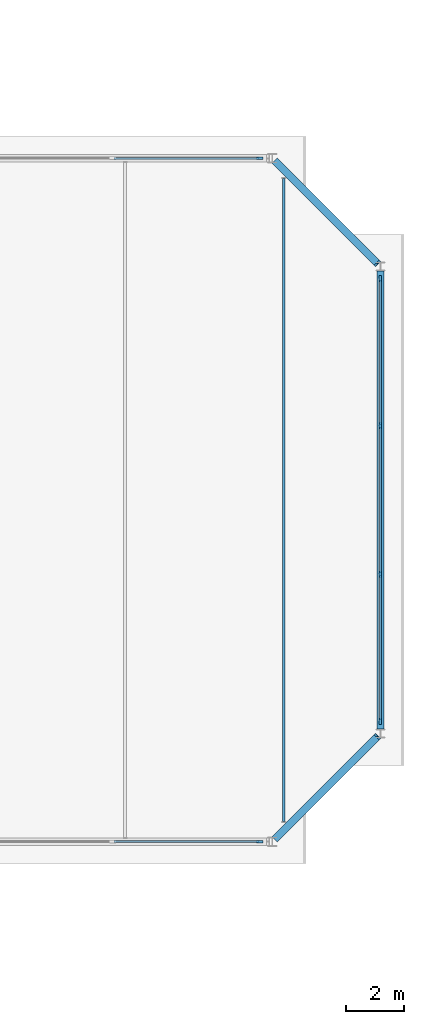
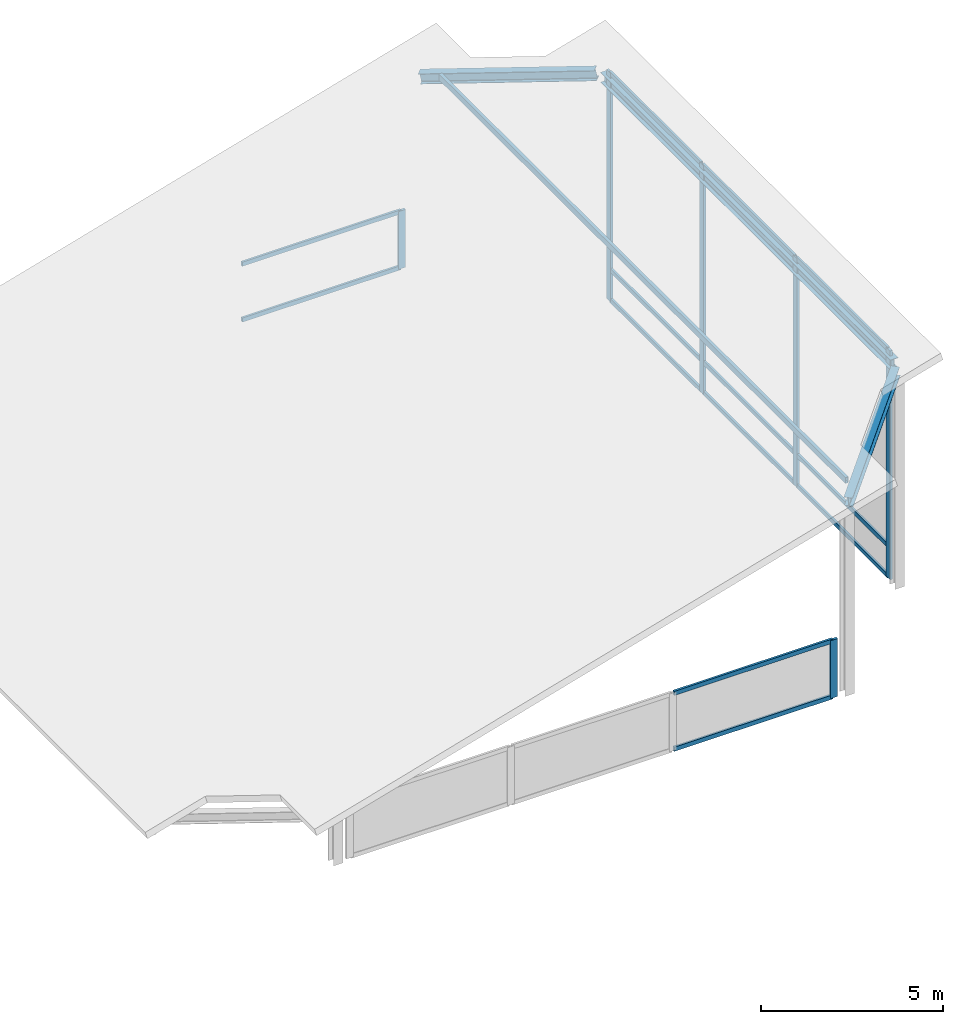
# One storey, part 15 of 28: 20 members, 3 beams, 3 elements without a shape of their own.
"""IFC4 building model written with IfcOpenShell, lengths in metres."""

from ifc_helpers import new_model, si_unit, direction, frame, origin, origin_2d, place, context, subcontext, project, spatial, rectangle, hollow_rectangle, i_section, extrude, source, transform, mapped, material, layer, layer_set, material_profile, profile_set, type_object, element, aggregate, save


model = new_model("IFC4")

# Units and contexts
model_context = context("Model", 3, precision=1e-05, world=origin(), true_north=direction((0.0, 1.0)))
body_context = subcontext(model_context, "Body", "Model", "MODEL_VIEW")
ifc_project = project(units=[si_unit("LENGTHUNIT", "METRE"), si_unit("AREAUNIT", "SQUARE_METRE"), si_unit("VOLUMEUNIT", "CUBIC_METRE"), si_unit("PLANEANGLEUNIT", "RADIAN"), si_unit("MASSUNIT", "GRAM", prefix="KILO"), si_unit("THERMODYNAMICTEMPERATUREUNIT", "KELVIN"), si_unit("POWERUNIT", "WATT")], contexts=[model_context])

# Site, building, storey
site_placement = place(None, origin())
site = spatial("IfcSite", under=ifc_project, at=site_placement, CompositionType="ELEMENT")
building_placement = place(site_placement, origin())
building = spatial("IfcBuilding", under=site, at=building_placement, Name="Qiaomeng Ring Towers", CompositionType="ELEMENT")
storey_placement = place(building_placement, frame((0.0, 0.0, 113.25)))
storey = spatial("IfcBuildingStorey", under=building, at=storey_placement, Name="L32", CompositionType="ELEMENT", Elevation=113.25)

# Beams
ifc_material_1 = material(Name="Steel Q355B", Category="steel")
ifc_material_profile_1 = material_profile(ifc_material_1, i_section(OverallWidth=0.25, OverallDepth=0.340087890625, WebThickness=0.009033203125, FlangeThickness=0.013916015625, FilletRadius=0.02001953125, at=origin_2d()), Name="HM 340x250x9x14")
ifc_profile_set_1 = profile_set([ifc_material_profile_1], Name="Steel Q355B")
beam_type = type_object("IfcBeamType", Name="STR-BM-HM340", PredefinedType="SPANDREL", material=ifc_profile_set_1)
shared_shape_1 = source(origin(), body_context, "Body", "SweptSolid", [
    extrude(i_section(OverallWidth=0.25, OverallDepth=0.340087890625, WebThickness=0.009033203125, FlangeThickness=0.013916015625, FilletRadius=0.02001953125, at=origin_2d()), origin(), (0.0, 0.0, 1.0), 5.10498046875),
])
for number, where, z_axis, x_axis, name in (
    (1, (68.7060546875, 11.256103515625, 6.276123046875), (0.693006531025, 0.693006531025, 0.198705550784), (-0.707106781187, 0.707106781187, 0.0), "Companion Crown Cap Beam 2"),
    (2, (72.243896484375, 31.2060546875, 7.29052734375), (-0.693006531025, 0.693006531025, -0.198705550784), (-0.707106781187, -0.707106781187, 0.0), "Companion Crown Cap Beam 4"),
):
    element("IfcBeam", number, at=place(storey_placement, frame(where, z_axis=z_axis, x_axis=x_axis)), inside=storey, type_object=beam_type, Name=name, PredefinedType="SPANDREL", context=body_context, shape_type="MappedRepresentation", body=[
        mapped(shared_shape_1, transform((0.0, 0.0, 0.0), x_axis=(1.0, 0.0, 0.0), y_axis=(0.0, 1.0, 0.0), z_axis=(0.0, 0.0, 1.0), scale=1.0)),
    ])
shared_shape_2 = source(origin(), body_context, "Body", "SweptSolid", [
    extrude(i_section(OverallWidth=0.25, OverallDepth=0.340087890625, WebThickness=0.009033203125, FlangeThickness=0.013916015625, FilletRadius=0.02001953125, at=origin_2d()), origin(), (0.0, 0.0, 1.0), 15.89990234375),
])
beam_placement = place(storey_placement, frame((72.35009765625, 15.050048828125, 7.32080078125), z_axis=(0.0, 1.0, 0.0), x_axis=(-1.0, 0.0, 0.0)))
element("IfcBeam", 3, at=beam_placement, inside=storey, type_object=beam_type, Name="Companion Crown Cap Beam 3", PredefinedType="SPANDREL", context=body_context, shape_type="MappedRepresentation", body=[
    mapped(shared_shape_2, transform((0.0, 0.0, 0.0), x_axis=(1.0, 0.0, 0.0), y_axis=(0.0, 1.0, 0.0), z_axis=(0.0, 0.0, 1.0), scale=1.0)),
])

# Member
ifc_material_profile_2 = material_profile(ifc_material_1, hollow_rectangle(XDim=0.10009765625, YDim=0.199951171875, WallThickness=0.008056640625, at=origin_2d()), Name="RHS 200x100x8")
ifc_profile_set_2 = profile_set([ifc_material_profile_2], Name="Steel Q355B")
member_type_1 = type_object("IfcMemberType", Name="STR-MB-PURLIN-200", PredefinedType="PURLIN", material=ifc_profile_set_2)
shared_shape_3 = source(origin(), body_context, "Body", "SweptSolid", [
    extrude(hollow_rectangle(XDim=0.10009765625, YDim=0.199951171875, WallThickness=0.008056640625, at=origin_2d()), origin(), (0.0, 0.0, 1.0), 22.2998046875),
])
member_1_placement = place(storey_placement, frame((69.0, 11.85009765625, 6.540283203125), z_axis=(0.0, 1.0, 0.0), x_axis=(-1.0, 0.0, 0.0)))
element("IfcMember", 4, at=member_1_placement, inside=storey, type_object=member_type_1, Name="Companion Crown Roof Purlin 4", PredefinedType="PURLIN", context=body_context, shape_type="MappedRepresentation", body=[
    mapped(shared_shape_3, transform((0.0, 0.0, 0.0), x_axis=(1.0, 0.0, 0.0), y_axis=(0.0, 1.0, 0.0), z_axis=(0.0, 0.0, 1.0), scale=1.0)),
])

# Curtain wall, member
ifc_material_2 = material(Name="Fluorocarbon dark-grey aluminium", Category="aluminium")
ifc_layer = layer(ifc_material_2, 0.169921875, Name="Fluorocarbon dark-grey aluminium")
ifc_layer_set = layer_set([ifc_layer], Name="Fluorocarbon dark-grey aluminium")
curtain_wall_type = type_object("IfcCurtainWallType", Name="ARC-CW-6", PredefinedType="NOTDEFINED", material=ifc_layer_set)
curtain_wall_1_placement = place(storey_placement, origin())
curtain_wall_1 = element("IfcCurtainWall", 5, at=curtain_wall_1_placement, inside=storey, type_object=curtain_wall_type, Name="L32 Curtain Wall CW6", PredefinedType="NOTDEFINED")
ifc_material_profile_3 = material_profile(ifc_material_2, rectangle(XDim=0.080078125, YDim=0.219970703125, at=origin_2d()), Name="ALU MULL 80x220")
ifc_profile_set_3 = profile_set([ifc_material_profile_3], Name="Fluorocarbon dark-grey aluminium")
member_type_2 = type_object("IfcMemberType", Name="ARC-CWM-180", PredefinedType="MULLION", material=ifc_profile_set_3)
shared_shape_4 = source(origin(), body_context, "Body", "SweptSolid", [
    extrude(rectangle(XDim=0.080078125, YDim=0.219970703125, at=origin_2d()), origin(), (0.0, 0.0, 1.0), 1.9404296875),
])
member_2_placement = place(storey_placement, frame((68.169921875, 11.14990234375, 0.0), z_axis=(0.0, 0.0, 1.0), x_axis=(0.0, 1.0, 0.0)))
member_2 = element("IfcMember", 6, at=member_2_placement, type_object=member_type_2, Name="CW6 mullion 4", PredefinedType="MULLION", context=body_context, shape_type="MappedRepresentation", body=[
    mapped(shared_shape_4, transform((0.0, 0.0, 0.0), x_axis=(1.0, 0.0, 0.0), y_axis=(0.0, 1.0, 0.0), z_axis=(0.0, 0.0, 1.0), scale=1.0)),
])

curtain_wall_2_placement = place(storey_placement, origin())
curtain_wall_2 = element("IfcCurtainWall", 7, at=curtain_wall_2_placement, inside=storey, type_object=curtain_wall_type, Name="L32 Curtain Wall CW6", PredefinedType="NOTDEFINED")
member_3_placement = place(storey_placement, frame((68.169921875, 34.85009765625, 0.0), z_axis=(0.0, 0.0, 1.0), x_axis=(0.0, -1.0, 0.0)))
member_3 = element("IfcMember", 8, at=member_3_placement, type_object=member_type_2, Name="CW6 mullion 1", PredefinedType="MULLION", context=body_context, shape_type="MappedRepresentation", body=[
    mapped(shared_shape_4, transform((0.0, 0.0, 0.0), x_axis=(1.0, 0.0, 0.0), y_axis=(0.0, 1.0, 0.0), z_axis=(0.0, 0.0, 1.0), scale=1.0)),
])

# Member
ifc_material_profile_4 = material_profile(ifc_material_2, rectangle(XDim=0.070068359375, YDim=0.139892578125, at=origin_2d()), Name="ALU TRAN 70x140")
ifc_profile_set_4 = profile_set([ifc_material_profile_4], Name="Fluorocarbon dark-grey aluminium")
member_type_3 = type_object("IfcMemberType", Name="ARC-CWT-140", PredefinedType="USERDEFINED", material=ifc_profile_set_4)
shared_shape_5 = source(origin(), body_context, "Body", "SweptSolid", [
    extrude(rectangle(XDim=0.070068359375, YDim=0.139892578125, at=origin_2d()), origin(), (0.0, 0.0, 1.0), 5.019775390625),
])
member_4_placement = place(storey_placement, frame((63.110107421875, 11.14990234375, 0.034912109375), z_axis=(1.0, 0.0, 0.0), x_axis=(0.0, 1.0, 0.0)))
member_4 = element("IfcMember", 9, at=member_4_placement, type_object=member_type_3, Name="CW6 transom 3.1", ObjectType="TRANSOM", PredefinedType="USERDEFINED", context=body_context, shape_type="MappedRepresentation", body=[
    mapped(shared_shape_5, transform((0.0, 0.0, 0.0), x_axis=(1.0, 0.0, 0.0), y_axis=(0.0, 1.0, 0.0), z_axis=(0.0, 0.0, 1.0), scale=1.0)),
])

member_5_placement = place(storey_placement, frame((63.110107421875, 11.14990234375, 1.905517578125), z_axis=(1.0, 0.0, 0.0), x_axis=(0.0, 1.0, 0.0)))
member_5 = element("IfcMember", 10, at=member_5_placement, type_object=member_type_3, Name="CW6 transom 3.2", ObjectType="TRANSOM", PredefinedType="USERDEFINED", context=body_context, shape_type="MappedRepresentation", body=[
    mapped(shared_shape_5, transform((0.0, 0.0, 0.0), x_axis=(1.0, 0.0, 0.0), y_axis=(0.0, 1.0, 0.0), z_axis=(0.0, 0.0, 1.0), scale=1.0)),
])

aggregate(curtain_wall_1, [member_2, member_4, member_5])

# Curtain wall, members
curtain_wall_3_placement = place(storey_placement, origin())
curtain_wall_3 = element("IfcCurtainWall", 11, at=curtain_wall_3_placement, inside=storey, type_object=curtain_wall_type, Name="L32 Curtain Wall CW6", PredefinedType="NOTDEFINED")
member_6_placement = place(storey_placement, frame((72.35009765625, 15.3701171875, 0.034912109375), z_axis=(0.0, 1.0, 0.0), x_axis=(-1.0, 0.0, 0.0)))
member_6 = element("IfcMember", 12, at=member_6_placement, type_object=member_type_3, Name="CW6 transom 1.1", ObjectType="TRANSOM", PredefinedType="USERDEFINED", context=body_context, shape_type="MappedRepresentation", body=[
    mapped(shared_shape_5, transform((0.0, 0.0, 0.0), x_axis=(1.0, 0.0, 0.0), y_axis=(0.0, 1.0, 0.0), z_axis=(0.0, 0.0, 1.0), scale=1.0)),
])
member_7_placement = place(storey_placement, frame((72.35009765625, 15.3701171875, 1.050048828125), z_axis=(0.0, 1.0, 0.0), x_axis=(-1.0, 0.0, 0.0)))
member_7 = element("IfcMember", 13, at=member_7_placement, type_object=member_type_3, Name="CW6 transom 1.2", ObjectType="TRANSOM", PredefinedType="USERDEFINED", context=body_context, shape_type="MappedRepresentation", body=[
    mapped(shared_shape_5, transform((0.0, 0.0, 0.0), x_axis=(1.0, 0.0, 0.0), y_axis=(0.0, 1.0, 0.0), z_axis=(0.0, 0.0, 1.0), scale=1.0)),
])
member_8_placement = place(storey_placement, frame((72.35009765625, 15.3701171875, 7.6259765625), z_axis=(0.0, 1.0, 0.0), x_axis=(-1.0, 0.0, 0.0)))
member_8 = element("IfcMember", 14, at=member_8_placement, type_object=member_type_3, Name="CW6 transom 1.3", ObjectType="TRANSOM", PredefinedType="USERDEFINED", context=body_context, shape_type="MappedRepresentation", body=[
    mapped(shared_shape_5, transform((0.0, 0.0, 0.0), x_axis=(1.0, 0.0, 0.0), y_axis=(0.0, 1.0, 0.0), z_axis=(0.0, 0.0, 1.0), scale=1.0)),
])
member_9_placement = place(storey_placement, frame((72.35009765625, 25.610107421875, 0.034912109375), z_axis=(0.0, 1.0, 0.0), x_axis=(-1.0, 0.0, 0.0)))
member_9 = element("IfcMember", 15, at=member_9_placement, type_object=member_type_3, Name="CW6 transom 3.1", ObjectType="TRANSOM", PredefinedType="USERDEFINED", context=body_context, shape_type="MappedRepresentation", body=[
    mapped(shared_shape_5, transform((0.0, 0.0, 0.0), x_axis=(1.0, 0.0, 0.0), y_axis=(0.0, 1.0, 0.0), z_axis=(0.0, 0.0, 1.0), scale=1.0)),
])
member_10_placement = place(storey_placement, frame((72.35009765625, 25.610107421875, 1.050048828125), z_axis=(0.0, 1.0, 0.0), x_axis=(-1.0, 0.0, 0.0)))
member_10 = element("IfcMember", 16, at=member_10_placement, type_object=member_type_3, Name="CW6 transom 3.2", ObjectType="TRANSOM", PredefinedType="USERDEFINED", context=body_context, shape_type="MappedRepresentation", body=[
    mapped(shared_shape_5, transform((0.0, 0.0, 0.0), x_axis=(1.0, 0.0, 0.0), y_axis=(0.0, 1.0, 0.0), z_axis=(0.0, 0.0, 1.0), scale=1.0)),
])
member_11_placement = place(storey_placement, frame((72.35009765625, 25.610107421875, 7.6259765625), z_axis=(0.0, 1.0, 0.0), x_axis=(-1.0, 0.0, 0.0)))
member_11 = element("IfcMember", 17, at=member_11_placement, type_object=member_type_3, Name="CW6 transom 3.3", ObjectType="TRANSOM", PredefinedType="USERDEFINED", context=body_context, shape_type="MappedRepresentation", body=[
    mapped(shared_shape_5, transform((0.0, 0.0, 0.0), x_axis=(1.0, 0.0, 0.0), y_axis=(0.0, 1.0, 0.0), z_axis=(0.0, 0.0, 1.0), scale=1.0)),
])

# Member
member_12_placement = place(storey_placement, frame((68.1298828125, 34.85009765625, 0.034912109375), z_axis=(-1.0, 0.0, 0.0), x_axis=(0.0, -1.0, 0.0)))
member_12 = element("IfcMember", 18, at=member_12_placement, type_object=member_type_3, Name="CW6 transom 1.1", ObjectType="TRANSOM", PredefinedType="USERDEFINED", context=body_context, shape_type="MappedRepresentation", body=[
    mapped(shared_shape_5, transform((0.0, 0.0, 0.0), x_axis=(1.0, 0.0, 0.0), y_axis=(0.0, 1.0, 0.0), z_axis=(0.0, 0.0, 1.0), scale=1.0)),
])

member_13_placement = place(storey_placement, frame((68.1298828125, 34.85009765625, 1.905517578125), z_axis=(-1.0, 0.0, 0.0), x_axis=(0.0, -1.0, 0.0)))
member_13 = element("IfcMember", 19, at=member_13_placement, type_object=member_type_3, Name="CW6 transom 1.2", ObjectType="TRANSOM", PredefinedType="USERDEFINED", context=body_context, shape_type="MappedRepresentation", body=[
    mapped(shared_shape_5, transform((0.0, 0.0, 0.0), x_axis=(1.0, 0.0, 0.0), y_axis=(0.0, 1.0, 0.0), z_axis=(0.0, 0.0, 1.0), scale=1.0)),
])

aggregate(curtain_wall_2, [member_3, member_12, member_13])

shared_shape_6 = source(origin(), body_context, "Body", "SweptSolid", [
    extrude(rectangle(XDim=0.070068359375, YDim=0.139892578125, at=origin_2d()), origin(), (0.0, 0.0, 1.0), 5.06005859375),
])
member_14_placement = place(storey_placement, frame((72.35009765625, 20.469970703125, 0.034912109375), z_axis=(0.0, 1.0, 0.0), x_axis=(-1.0, 0.0, 0.0)))
member_14 = element("IfcMember", 20, at=member_14_placement, type_object=member_type_3, Name="CW6 transom 2.1", ObjectType="TRANSOM", PredefinedType="USERDEFINED", context=body_context, shape_type="MappedRepresentation", body=[
    mapped(shared_shape_6, transform((0.0, 0.0, 0.0), x_axis=(1.0, 0.0, 0.0), y_axis=(0.0, 1.0, 0.0), z_axis=(0.0, 0.0, 1.0), scale=1.0)),
])

member_15_placement = place(storey_placement, frame((72.35009765625, 20.469970703125, 1.050048828125), z_axis=(0.0, 1.0, 0.0), x_axis=(-1.0, 0.0, 0.0)))
member_15 = element("IfcMember", 21, at=member_15_placement, type_object=member_type_3, Name="CW6 transom 2.2", ObjectType="TRANSOM", PredefinedType="USERDEFINED", context=body_context, shape_type="MappedRepresentation", body=[
    mapped(shared_shape_6, transform((0.0, 0.0, 0.0), x_axis=(1.0, 0.0, 0.0), y_axis=(0.0, 1.0, 0.0), z_axis=(0.0, 0.0, 1.0), scale=1.0)),
])

member_16_placement = place(storey_placement, frame((72.35009765625, 20.469970703125, 7.6259765625), z_axis=(0.0, 1.0, 0.0), x_axis=(-1.0, 0.0, 0.0)))
member_16 = element("IfcMember", 22, at=member_16_placement, type_object=member_type_3, Name="CW6 transom 2.3", ObjectType="TRANSOM", PredefinedType="USERDEFINED", context=body_context, shape_type="MappedRepresentation", body=[
    mapped(shared_shape_6, transform((0.0, 0.0, 0.0), x_axis=(1.0, 0.0, 0.0), y_axis=(0.0, 1.0, 0.0), z_axis=(0.0, 0.0, 1.0), scale=1.0)),
])

shared_shape_7 = source(origin(), body_context, "Body", "SweptSolid", [
    extrude(rectangle(XDim=0.080078125, YDim=0.219970703125, at=origin_2d()), origin(), (0.0, 0.0, 1.0), 7.660888671875),
])
member_17_placement = place(storey_placement, frame((72.35009765625, 15.330078125, 0.0), z_axis=(0.0, 0.0, 1.0), x_axis=(-1.0, 0.0, 0.0)))
member_17 = element("IfcMember", 23, at=member_17_placement, type_object=member_type_2, Name="CW6 mullion 1", PredefinedType="MULLION", context=body_context, shape_type="MappedRepresentation", body=[
    mapped(shared_shape_7, transform((0.0, 0.0, 0.0), x_axis=(1.0, 0.0, 0.0), y_axis=(0.0, 1.0, 0.0), z_axis=(0.0, 0.0, 1.0), scale=1.0)),
])

member_18_placement = place(storey_placement, frame((72.35009765625, 20.429931640625, 0.0), z_axis=(0.0, 0.0, 1.0), x_axis=(-1.0, 0.0, 0.0)))
member_18 = element("IfcMember", 24, at=member_18_placement, type_object=member_type_2, Name="CW6 mullion 2", PredefinedType="MULLION", context=body_context, shape_type="MappedRepresentation", body=[
    mapped(shared_shape_7, transform((0.0, 0.0, 0.0), x_axis=(1.0, 0.0, 0.0), y_axis=(0.0, 1.0, 0.0), z_axis=(0.0, 0.0, 1.0), scale=1.0)),
])

member_19_placement = place(storey_placement, frame((72.35009765625, 25.570068359375, 0.0), z_axis=(0.0, 0.0, 1.0), x_axis=(-1.0, 0.0, 0.0)))
member_19 = element("IfcMember", 25, at=member_19_placement, type_object=member_type_2, Name="CW6 mullion 3", PredefinedType="MULLION", context=body_context, shape_type="MappedRepresentation", body=[
    mapped(shared_shape_7, transform((0.0, 0.0, 0.0), x_axis=(1.0, 0.0, 0.0), y_axis=(0.0, 1.0, 0.0), z_axis=(0.0, 0.0, 1.0), scale=1.0)),
])

member_20_placement = place(storey_placement, frame((72.35009765625, 30.669921875, 0.0), z_axis=(0.0, 0.0, 1.0), x_axis=(-1.0, 0.0, 0.0)))
member_20 = element("IfcMember", 26, at=member_20_placement, type_object=member_type_2, Name="CW6 mullion 4", PredefinedType="MULLION", context=body_context, shape_type="MappedRepresentation", body=[
    mapped(shared_shape_7, transform((0.0, 0.0, 0.0), x_axis=(1.0, 0.0, 0.0), y_axis=(0.0, 1.0, 0.0), z_axis=(0.0, 0.0, 1.0), scale=1.0)),
])

aggregate(curtain_wall_3, [member_17, member_18, member_19, member_20, member_6, member_7, member_8, member_14, member_15, member_16, member_9, member_10, member_11])

save(model, "model.ifc")
